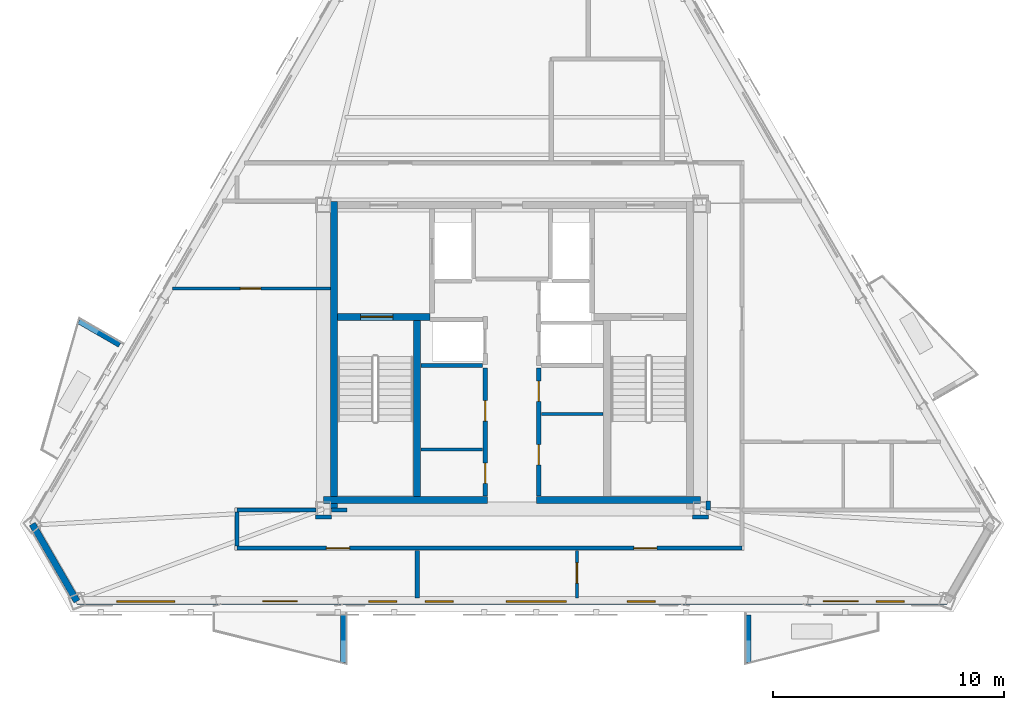
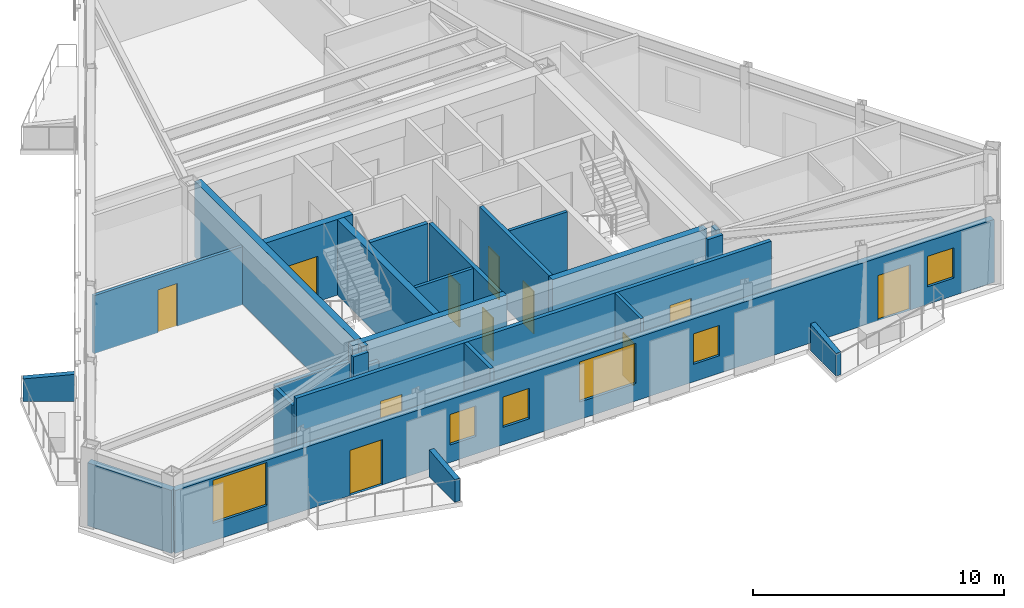
# One storey, part 2 of 9: 25 walls, 11 doors, 6 windows, 17 openings.
"""IFC4 building model written with IfcOpenShell, lengths in metres."""

from ifc_helpers import new_model, si_unit, direction, frame, frame_2d, origin, place, context, subcontext, project, spatial, polyline, rectangle, outline, extrude, material, layer, layer_set, type_object, element, fill, save


model = new_model("IFC4")

# Units and contexts
model_context = context("Model", 3, precision=1e-05, world=origin(), true_north=direction((0.0, 1.0)))
body_context = subcontext(model_context, "Body", "Model", "MODEL_VIEW")
ifc_project = project(units=[si_unit("LENGTHUNIT", "METRE"), si_unit("AREAUNIT", "SQUARE_METRE"), si_unit("VOLUMEUNIT", "CUBIC_METRE"), si_unit("PLANEANGLEUNIT", "RADIAN"), si_unit("MASSUNIT", "GRAM", prefix="KILO")], contexts=[model_context])

# Site, building, storey
site_placement = place(None, origin())
site = spatial("IfcSite", under=ifc_project, at=site_placement, CompositionType="ELEMENT")
building_placement = place(site_placement, origin())
building = spatial("IfcBuilding", under=site, at=building_placement, Name="Oramaril Tower", CompositionType="ELEMENT")
storey_placement = place(building_placement, frame((0.0, 0.0, 301.199951171875)))
storey = spatial("IfcBuildingStorey", under=building, at=storey_placement, Name="L79", CompositionType="ELEMENT", Elevation=301.199951171875)

# Wall
ifc_material_1 = material(Name="Warm Cream Limestone", Category="masonry")
ifc_layer_1 = layer(ifc_material_1, 0.2900390625)
ifc_layer_set_1 = layer_set([ifc_layer_1], Name="WT-EXT29")
wall_type_1 = type_object("IfcWallType", Name="WT-EXT29", PredefinedType="SOLIDWALL", material=ifc_layer_set_1)
wall_1_placement = place(storey_placement, frame((16.73876953125, 10.344970703125, 0.0), z_axis=(0.0, 0.0, 1.0), x_axis=(0.499977629202, -0.866038319186, 0.0)))
element("IfcWall", 1, at=wall_1_placement, inside=storey, type_object=wall_type_1, Name="L79 Tower Limestone Facade Wall 1M", PredefinedType="SOLIDWALL", context=body_context, shape_type="SweptSolid", body=[
    extrude(rectangle(XDim=3.864990234375, YDim=0.2900390625, at=frame_2d((1.9326171875, 0.0))), origin(), (0.0, 0.0, 1.0), 3.05810546875),
])

# Wall, openings, doors, windows
wall_2_placement = place(storey_placement, frame((18.671142578125, 6.997802734375, 0.0), z_axis=(0.0, 0.0, 1.0), x_axis=(1.0, 0.0, 0.0)))
wall_2 = element("IfcWall", 2, at=wall_2_placement, inside=storey, type_object=wall_type_1, Name="L79 Tower Limestone Facade Wall 2M", PredefinedType="SOLIDWALL", context=body_context, shape_type="SweptSolid", body=[
    extrude(rectangle(XDim=37.65771484375, YDim=0.2900390625, at=frame_2d((18.828857421875, 0.0))), origin(), (0.0, 0.0, 1.0), 3.05810546875),
])
opening_1_placement = place(wall_2_placement, frame((8.034423828125, 0.0, 0.0)))
opening_1 = element("IfcOpeningElement", 3, at=opening_1_placement, cuts=wall_2, Name="Opening D-L79-BAL-S1", PredefinedType="OPENING", context=body_context, shape_type="SweptSolid", body=[
    extrude(rectangle(XDim=1.5, YDim=2.199951171875, at=frame_2d((0.75, 1.10009765625))), frame((0.0, 0.14501953125, 0.0), z_axis=(0.0, -1.0, 0.0), x_axis=(1.0, 0.0, 0.0)), (0.0, 0.0, 1.0), 0.2900390625),
])
opening_2_placement = place(wall_2_placement, frame((32.30810546875, 0.0, 0.0)))
opening_2 = element("IfcOpeningElement", 4, at=opening_2_placement, cuts=wall_2, Name="Opening D-L79-BAL-S2", PredefinedType="OPENING", context=body_context, shape_type="SweptSolid", body=[
    extrude(rectangle(XDim=1.5, YDim=2.199951171875, at=frame_2d((0.75, 1.10009765625))), frame((0.0, 0.14501953125, 0.0), z_axis=(0.0, -1.0, 0.0), x_axis=(1.0, 0.0, 0.0)), (0.0, 0.0, 1.0), 0.2900390625),
])
opening_3_placement = place(wall_2_placement, frame((23.81884765625, 0.0, 0.85009765625)))
opening_3 = element("IfcOpeningElement", 5, at=opening_3_placement, cuts=wall_2, Name="Opening WN-09", PredefinedType="OPENING", context=body_context, shape_type="SweptSolid", body=[
    extrude(rectangle(XDim=1.199951171875, YDim=1.47998046875, at=frame_2d((0.60009765625, 0.739990234375))), frame((0.0, 0.14501953125, 0.0), z_axis=(0.0, -1.0, 0.0), x_axis=(1.0, 0.0, 0.0)), (0.0, 0.0, 1.0), 0.2900390625),
])
opening_4_placement = place(wall_2_placement, frame((34.595703125, 0.0, 0.85009765625)))
opening_4 = element("IfcOpeningElement", 6, at=opening_4_placement, cuts=wall_2, Name="Opening WN-09", PredefinedType="OPENING", context=body_context, shape_type="SweptSolid", body=[
    extrude(rectangle(XDim=1.199951171875, YDim=1.47998046875, at=frame_2d((0.60009765625, 0.739990234375))), frame((0.0, 0.14501953125, 0.0), z_axis=(0.0, -1.0, 0.0), x_axis=(1.0, 0.0, 0.0)), (0.0, 0.0, 1.0), 0.2900390625),
])
opening_5_placement = place(wall_2_placement, frame((15.080810546875, 0.0, 0.85009765625)))
opening_5 = element("IfcOpeningElement", 7, at=opening_5_placement, cuts=wall_2, Name="Opening WN-09", PredefinedType="OPENING", context=body_context, shape_type="SweptSolid", body=[
    extrude(rectangle(XDim=1.199951171875, YDim=1.47998046875, at=frame_2d((0.60009765625, 0.739990234375))), frame((0.0, 0.14501953125, 0.0), z_axis=(0.0, -1.0, 0.0), x_axis=(1.0, 0.0, 0.0)), (0.0, 0.0, 1.0), 0.2900390625),
])
opening_6_placement = place(wall_2_placement, frame((18.5859375, 0.0, 0.85009765625)))
opening_6 = element("IfcOpeningElement", 8, at=opening_6_placement, cuts=wall_2, Name="Opening WN-02", PredefinedType="OPENING", context=body_context, shape_type="SweptSolid", body=[
    extrude(rectangle(XDim=2.60009765625, YDim=1.949951171875, at=frame_2d((1.300048828125, 0.97509765625))), frame((0.0, 0.14501953125, 0.0), z_axis=(0.0, -1.0, 0.0), x_axis=(1.0, 0.0, 0.0)), (0.0, 0.0, 1.0), 0.2900390625),
])
opening_7_placement = place(wall_2_placement, frame((1.72900390625, 0.0, 0.85009765625)))
opening_7 = element("IfcOpeningElement", 9, at=opening_7_placement, cuts=wall_2, Name="Opening WN-11", PredefinedType="OPENING", context=body_context, shape_type="SweptSolid", body=[
    extrude(rectangle(XDim=2.5, YDim=2.097900390625, at=frame_2d((1.25, 1.048828125))), frame((0.0, 0.14501953125, 0.0), z_axis=(0.0, -1.0, 0.0), x_axis=(1.0, 0.0, 0.0)), (0.0, 0.0, 1.0), 0.2900390625),
])
opening_8_placement = place(wall_2_placement, frame((12.635498046875, 0.0, 0.85009765625)))
opening_8 = element("IfcOpeningElement", 10, at=opening_8_placement, cuts=wall_2, Name="Opening WN-09", PredefinedType="OPENING", context=body_context, shape_type="SweptSolid", body=[
    extrude(rectangle(XDim=1.199951171875, YDim=1.47998046875, at=frame_2d((0.60009765625, 0.739990234375))), frame((0.0, 0.14501953125, 0.0), z_axis=(0.0, -1.0, 0.0), x_axis=(1.0, 0.0, 0.0)), (0.0, 0.0, 1.0), 0.2900390625),
])
ifc_material_2 = material(Name="Anodised Aluminium 6063-T6", Category="aluminium")
door_type_1 = type_object("IfcDoorType", Name="DT-BAL", OperationType="NOTDEFINED", PredefinedType="DOOR", material=ifc_material_2)
door_1_placement = place(opening_1_placement, origin())
door_1 = element("IfcDoor", 11, at=door_1_placement, inside=storey, type_object=door_type_1, Name="L79 Balcony Glazed Door L79-BAL-S1", OperationType="SINGLE_SWING_RIGHT", OverallHeight=2.199951171875, OverallWidth=1.5, PredefinedType="DOOR", context=body_context, shape_type="SweptSolid", body=[
    extrude(rectangle(XDim=1.5, YDim=2.199951171875, at=frame_2d((0.75, 1.10009765625))), frame((0.0, 0.02490234375, 0.0), z_axis=(0.0, -1.0, 0.0), x_axis=(1.0, 0.0, 0.0)), (0.0, 0.0, 1.0), 0.050048828125),
])
fill(opening_1, door_1)
door_2_placement = place(opening_2_placement, origin())
door_2 = element("IfcDoor", 12, at=door_2_placement, inside=storey, type_object=door_type_1, Name="L79 Balcony Glazed Door L79-BAL-S2", OperationType="SINGLE_SWING_LEFT", OverallHeight=2.199951171875, OverallWidth=1.5, PredefinedType="DOOR", context=body_context, shape_type="SweptSolid", body=[
    extrude(rectangle(XDim=1.5, YDim=2.199951171875, at=frame_2d((0.75, 1.10009765625))), frame((0.0, 0.02490234375, 0.0), z_axis=(0.0, -1.0, 0.0), x_axis=(1.0, 0.0, 0.0)), (0.0, 0.0, 1.0), 0.050048828125),
])
fill(opening_2, door_2)
ifc_material_3 = material(Name="Coastal Low-E Insulated Glass", Category="glass")
window_type_1 = type_object("IfcWindowType", Name="WNT-02", PartitioningType="SINGLE_PANEL", PredefinedType="WINDOW", material=ifc_material_3)
window_1_placement = place(opening_6_placement, origin())
window_1 = element("IfcWindow", 13, at=window_1_placement, inside=storey, type_object=window_type_1, Name="L79 Chicago Bay Window WN-02", OverallHeight=1.949951171875, OverallWidth=2.60009765625, PartitioningType="SINGLE_PANEL", PredefinedType="WINDOW", context=body_context, shape_type="SweptSolid", body=[
    extrude(rectangle(XDim=2.60009765625, YDim=1.949951171875, at=frame_2d((1.300048828125, 0.97509765625))), frame((0.0, 0.030029296875, 0.0), z_axis=(0.0, -1.0, 0.0), x_axis=(1.0, 0.0, 0.0)), (0.0, 0.0, 1.0), 0.06005859375),
])
fill(opening_6, window_1)
ifc_material_4 = material(Name="Coastal Low-E Insulated Glass", Category="glass")
window_type_2 = type_object("IfcWindowType", Name="WNT-09", PartitioningType="SINGLE_PANEL", PredefinedType="WINDOW", material=ifc_material_4)
window_2_placement = place(opening_3_placement, origin())
window_2 = element("IfcWindow", 14, at=window_2_placement, inside=storey, type_object=window_type_2, Name="L79 Chicago Bay Window WN-09", OverallHeight=1.47998046875, OverallWidth=1.199951171875, PartitioningType="SINGLE_PANEL", PredefinedType="WINDOW", context=body_context, shape_type="SweptSolid", body=[
    extrude(rectangle(XDim=1.199951171875, YDim=1.47998046875, at=frame_2d((0.60009765625, 0.739990234375))), frame((0.0, 0.030029296875, 0.0), z_axis=(0.0, -1.0, 0.0), x_axis=(1.0, 0.0, 0.0)), (0.0, 0.0, 1.0), 0.06005859375),
])
fill(opening_3, window_2)
window_3_placement = place(opening_4_placement, origin())
window_3 = element("IfcWindow", 15, at=window_3_placement, inside=storey, type_object=window_type_2, Name="L79 Chicago Bay Window WN-09", OverallHeight=1.47998046875, OverallWidth=1.199951171875, PartitioningType="SINGLE_PANEL", PredefinedType="WINDOW", context=body_context, shape_type="SweptSolid", body=[
    extrude(rectangle(XDim=1.199951171875, YDim=1.47998046875, at=frame_2d((0.60009765625, 0.739990234375))), frame((0.0, 0.030029296875, 0.0), z_axis=(0.0, -1.0, 0.0), x_axis=(1.0, 0.0, 0.0)), (0.0, 0.0, 1.0), 0.06005859375),
])
fill(opening_4, window_3)
window_4_placement = place(opening_5_placement, origin())
window_4 = element("IfcWindow", 16, at=window_4_placement, inside=storey, type_object=window_type_2, Name="L79 Chicago Bay Window WN-09", OverallHeight=1.47998046875, OverallWidth=1.199951171875, PartitioningType="SINGLE_PANEL", PredefinedType="WINDOW", context=body_context, shape_type="SweptSolid", body=[
    extrude(rectangle(XDim=1.199951171875, YDim=1.47998046875, at=frame_2d((0.60009765625, 0.739990234375))), frame((0.0, 0.030029296875, 0.0), z_axis=(0.0, -1.0, 0.0), x_axis=(1.0, 0.0, 0.0)), (0.0, 0.0, 1.0), 0.06005859375),
])
fill(opening_5, window_4)
window_5_placement = place(opening_8_placement, origin())
window_5 = element("IfcWindow", 17, at=window_5_placement, inside=storey, type_object=window_type_2, Name="L79 Chicago Bay Window WN-09", OverallHeight=1.47998046875, OverallWidth=1.199951171875, PartitioningType="SINGLE_PANEL", PredefinedType="WINDOW", context=body_context, shape_type="SweptSolid", body=[
    extrude(rectangle(XDim=1.199951171875, YDim=1.47998046875, at=frame_2d((0.60009765625, 0.739990234375))), frame((0.0, 0.030029296875, 0.0), z_axis=(0.0, -1.0, 0.0), x_axis=(1.0, 0.0, 0.0)), (0.0, 0.0, 1.0), 0.06005859375),
])
fill(opening_8, window_5)
ifc_material_5 = material(Name="Coastal Low-E Insulated Glass", Category="glass")
window_type_3 = type_object("IfcWindowType", Name="WNT-11", PartitioningType="SINGLE_PANEL", PredefinedType="WINDOW", material=ifc_material_5)
window_6_placement = place(opening_7_placement, origin())
window_6 = element("IfcWindow", 18, at=window_6_placement, inside=storey, type_object=window_type_3, Name="L79 Chicago Bay Window WN-11", OverallHeight=2.097900390625, OverallWidth=2.5, PartitioningType="SINGLE_PANEL", PredefinedType="WINDOW", context=body_context, shape_type="SweptSolid", body=[
    extrude(rectangle(XDim=2.5, YDim=2.097900390625, at=frame_2d((1.25, 1.048828125))), frame((0.0, 0.030029296875, 0.0), z_axis=(0.0, -1.0, 0.0), x_axis=(1.0, 0.0, 0.0)), (0.0, 0.0, 1.0), 0.06005859375),
])
fill(opening_7, window_6)

# Walls
ifc_material_6 = material(Name="Concrete C40/50", Category="concrete")
ifc_layer_2 = layer(ifc_material_6, 0.22998046875)
ifc_layer_set_2 = layer_set([ifc_layer_2], Name="WT-PRP23")
wall_type_2 = type_object("IfcWallType", Name="WT-PRP23", PredefinedType="PARAPET", material=ifc_layer_set_2)
for number, where, z_axis, x_axis, name in (
    (19, (30.20068359375, 6.399658203125, 0.0), (0.0, 0.0, 1.0), (0.0, -1.0, 0.0), "L79 Trapezoidal Balcony Frame Cheek L79-BAL-S1-R"),
    (20, (47.724365234375, 6.399658203125, 0.0), (0.0, 0.0, 1.0), (0.0, -1.0, 0.0), "L79 Trapezoidal Balcony Frame Cheek L79-BAL-S2-L"),
    (21, (20.52294921875, 18.095458984375, 0.0), (0.0, 0.0, 1.0), (-0.866012356593, 0.500022597718, 0.0), "L79 Trapezoidal Balcony Frame Cheek L79-BAL-NW2-L"),
):
    element("IfcWall", number, at=place(storey_placement, frame(where, z_axis=z_axis, x_axis=x_axis)), inside=storey, type_object=wall_type_2, Name=name, PredefinedType="PARAPET", context=body_context, shape_type="SweptSolid", body=[
        extrude(outline(polyline([(0.0, 0.0), (2.0419921875, 0.0), (2.0419921875, 1.10009765625), (0.0, 1.320068359375), (0.0, 0.0)])), frame((0.0, 0.114990234375, 0.0), z_axis=(0.0, -1.0, 0.0), x_axis=(1.0, 0.0, 0.0)), (0.0, 0.0, 1.0), 0.22998046875),
    ])
ifc_material_7 = material(Name="Acoustic Gypsum Board Partition")
ifc_layer_3 = layer(ifc_material_7, 0.139892578125)
ifc_layer_set_3 = layer_set([ifc_layer_3], Name="WT-PT14")
wall_type_3 = type_object("IfcWallType", Name="WT-PT14", PredefinedType="PARTITIONING", material=ifc_layer_set_3)
for number, where, z_axis, x_axis, name in (
    (22, (33.56005859375, 13.570068359375, 0.0), (0.0, 0.0, 1.0), (1.0, 0.0, 0.0), "L79 Freed Shaft Divider"),
    (23, (38.780029296875, 15.110107421875, 0.0), (0.0, 0.0, 1.0), (1.0, 0.0, 0.0), "L79 Freed Shaft Divider"),
):
    element("IfcWall", number, at=place(storey_placement, frame(where, z_axis=z_axis, x_axis=x_axis)), inside=storey, type_object=wall_type_3, Name=name, PredefinedType="PARTITIONING", context=body_context, shape_type="SweptSolid", body=[
        extrude(rectangle(XDim=2.659912109375, YDim=0.139892578125, at=frame_2d((1.330078125, 0.0))), origin(), (0.0, 0.0, 1.0), 3.679931640625),
    ])

# Wall, opening, door
wall_3_placement = place(storey_placement, frame((22.796875, 20.5400390625, 0.0), z_axis=(0.0, 0.0, 1.0), x_axis=(1.0, 0.0, 0.0)))
wall_3 = element("IfcWall", 24, at=wall_3_placement, inside=storey, type_object=wall_type_3, Name="L79 Interior Partition PT-14", PredefinedType="PARTITIONING", context=body_context, shape_type="SweptSolid", body=[
    extrude(rectangle(XDim=6.839111328125, YDim=0.139892578125, at=frame_2d((3.41943359375, 0.0))), origin(), (0.0, 0.0, 1.0), 2.820068359375),
])
opening_9_placement = place(wall_3_placement, frame((2.951904296875, 0.0, 0.0)))
opening_9 = element("IfcOpeningElement", 25, at=opening_9_placement, cuts=wall_3, Name="Opening D-L79-06", PredefinedType="OPENING", context=body_context, shape_type="SweptSolid", body=[
    extrude(rectangle(XDim=0.8798828125, YDim=2.080078125, at=frame_2d((0.43994140625, 1.0400390625))), frame((0.0, 0.06982421875, 0.0), z_axis=(0.0, -1.0, 0.0), x_axis=(1.0, 0.0, 0.0)), (0.0, 0.0, 1.0), 0.139892578125),
])
ifc_material_8 = material(Name="FSC Brazilian Freijo Hardwood", Category="wood")
door_type_2 = type_object("IfcDoorType", Name="DT-BATH", OperationType="NOTDEFINED", PredefinedType="DOOR", material=ifc_material_8)
door_3_placement = place(opening_9_placement, origin())
door_3 = element("IfcDoor", 26, at=door_3_placement, inside=storey, type_object=door_type_2, Name="L79 Flat L79-U2 Bathroom Door D-L79-06", OperationType="SINGLE_SWING_RIGHT", OverallHeight=2.080078125, OverallWidth=0.8798828125, PredefinedType="DOOR", context=body_context, shape_type="SweptSolid", body=[
    extrude(rectangle(XDim=0.8798828125, YDim=2.080078125, at=frame_2d((0.43994140625, 1.0400390625))), frame((0.0, 0.02490234375, 0.0), z_axis=(0.0, -1.0, 0.0), x_axis=(1.0, 0.0, 0.0)), (0.0, 0.0, 1.0), 0.050048828125),
])
fill(opening_9, door_3)

wall_4_placement = place(storey_placement, frame((40.31005859375, 7.146728515625, 0.0), z_axis=(0.0, 0.0, 1.0), x_axis=(0.0, 1.0, 0.0)))
wall_4 = element("IfcWall", 27, at=wall_4_placement, inside=storey, type_object=wall_type_3, Name="L79 Interior Partition PT-14", PredefinedType="PARTITIONING", context=body_context, shape_type="SweptSolid", body=[
    extrude(rectangle(XDim=2.059326171875, YDim=0.139892578125, at=frame_2d((1.02978515625, 0.0))), origin(), (0.0, 0.0, 1.0), 3.679931640625),
])
opening_10_placement = place(wall_4_placement, frame((0.63720703125, 0.0, 0.0)))
opening_10 = element("IfcOpeningElement", 28, at=opening_10_placement, cuts=wall_4, Name="Opening D-L79-12", PredefinedType="OPENING", context=body_context, shape_type="SweptSolid", body=[
    extrude(rectangle(XDim=0.8798828125, YDim=2.080078125, at=frame_2d((0.43994140625, 1.0400390625))), frame((0.0, 0.06982421875, 0.0), z_axis=(0.0, -1.0, 0.0), x_axis=(1.0, 0.0, 0.0)), (0.0, 0.0, 1.0), 0.139892578125),
])
door_4_placement = place(opening_10_placement, origin())
door_4 = element("IfcDoor", 29, at=door_4_placement, inside=storey, type_object=door_type_2, Name="L79 Flat L79-U1 Bathroom Door D-L79-12", OperationType="SINGLE_SWING_RIGHT", OverallHeight=2.080078125, OverallWidth=0.8798828125, PredefinedType="DOOR", context=body_context, shape_type="SweptSolid", body=[
    extrude(rectangle(XDim=0.8798828125, YDim=2.080078125, at=frame_2d((0.43994140625, 1.0400390625))), frame((0.0, 0.02490234375, 0.0), z_axis=(0.0, -1.0, 0.0), x_axis=(1.0, 0.0, 0.0)), (0.0, 0.0, 1.0), 0.050048828125),
])
fill(opening_10, door_4)

# Wall
ifc_material_9 = material(Name="Autoclaved Cellular Concrete Block", Category="concrete")
ifc_layer_4 = layer(ifc_material_9, 0.179931640625)
ifc_layer_set_4 = layer_set([ifc_layer_4], Name="WT-PT18")
wall_type_4 = type_object("IfcWallType", Name="WT-PT18", PredefinedType="PARTITIONING", material=ifc_layer_set_4)
wall_5_placement = place(storey_placement, frame((33.56005859375, 17.199951171875, 0.0), z_axis=(0.0, 0.0, 1.0), x_axis=(1.0, 0.0, 0.0)))
element("IfcWall", 30, at=wall_5_placement, inside=storey, type_object=wall_type_4, Name="L79 High-Rise Lift H1 South Wall", PredefinedType="PARTITIONING", context=body_context, shape_type="SweptSolid", body=[
    extrude(rectangle(XDim=2.659912109375, YDim=0.179931640625, at=frame_2d((1.330078125, 0.0))), origin(), (0.0, 0.0, 1.0), 3.679931640625),
])

# Wall, openings, doors
wall_6_placement = place(storey_placement, frame((36.340087890625, 11.550048828125, 0.0), z_axis=(0.0, 0.0, 1.0), x_axis=(0.0, 1.0, 0.0)))
wall_6 = element("IfcWall", 31, at=wall_6_placement, inside=storey, type_object=wall_type_4, Name="L79 Freed Shaft Study East Wall", PredefinedType="PARTITIONING", context=body_context, shape_type="SweptSolid", body=[
    extrude(rectangle(XDim=5.550048828125, YDim=0.179931640625, at=frame_2d((2.77490234375, 0.0))), origin(), (0.0, 0.0, 1.0), 3.679931640625),
])
opening_11_placement = place(wall_6_placement, frame((0.550048828125, 0.0, 0.0)))
opening_11 = element("IfcOpeningElement", 32, at=opening_11_placement, cuts=wall_6, Name="Opening D-L79-FL1", PredefinedType="OPENING", context=body_context, shape_type="SweptSolid", body=[
    extrude(rectangle(XDim=0.8798828125, YDim=2.080078125, at=frame_2d((0.43994140625, 1.0400390625))), frame((0.0, 0.08984375, 0.0), z_axis=(0.0, -1.0, 0.0), x_axis=(1.0, 0.0, 0.0)), (0.0, 0.0, 1.0), 0.179931640625),
])
opening_12_placement = place(wall_6_placement, frame((3.25, 0.0, 0.0)))
opening_12 = element("IfcOpeningElement", 33, at=opening_12_placement, cuts=wall_6, Name="Opening D-L79-FL2", PredefinedType="OPENING", context=body_context, shape_type="SweptSolid", body=[
    extrude(rectangle(XDim=0.8798828125, YDim=2.080078125, at=frame_2d((0.43994140625, 1.0400390625))), frame((0.0, 0.08984375, 0.0), z_axis=(0.0, -1.0, 0.0), x_axis=(1.0, 0.0, 0.0)), (0.0, 0.0, 1.0), 0.179931640625),
])
door_5_placement = place(opening_11_placement, origin())
door_5 = element("IfcDoor", 34, at=door_5_placement, inside=storey, type_object=door_type_2, Name="L79 L79 Residents Tasting Dining Nook Door", OperationType="SINGLE_SWING_LEFT", OverallHeight=2.080078125, OverallWidth=0.8798828125, PredefinedType="DOOR", context=body_context, shape_type="SweptSolid", body=[
    extrude(rectangle(XDim=0.8798828125, YDim=2.080078125, at=frame_2d((0.43994140625, 1.0400390625))), frame((0.0, 0.02490234375, 0.0), z_axis=(0.0, -1.0, 0.0), x_axis=(1.0, 0.0, 0.0)), (0.0, 0.0, 1.0), 0.050048828125),
])
fill(opening_11, door_5)
door_6_placement = place(opening_12_placement, origin())
door_6 = element("IfcDoor", 35, at=door_6_placement, inside=storey, type_object=door_type_2, Name="L79 L79 Floor Co-Work Office Door", OperationType="SINGLE_SWING_RIGHT", OverallHeight=2.080078125, OverallWidth=0.8798828125, PredefinedType="DOOR", context=body_context, shape_type="SweptSolid", body=[
    extrude(rectangle(XDim=0.8798828125, YDim=2.080078125, at=frame_2d((0.43994140625, 1.0400390625))), frame((0.0, 0.02490234375, 0.0), z_axis=(0.0, -1.0, 0.0), x_axis=(1.0, 0.0, 0.0)), (0.0, 0.0, 1.0), 0.050048828125),
])
fill(opening_12, door_6)

wall_7_placement = place(storey_placement, frame((38.659912109375, 11.550048828125, 0.0), z_axis=(0.0, 0.0, 1.0), x_axis=(0.0, 1.0, 0.0)))
wall_7 = element("IfcWall", 36, at=wall_7_placement, inside=storey, type_object=wall_type_4, Name="L79 Freed Shaft Alcove West Wall", PredefinedType="PARTITIONING", context=body_context, shape_type="SweptSolid", body=[
    extrude(rectangle(XDim=5.550048828125, YDim=0.179931640625, at=frame_2d((2.77490234375, 0.0))), origin(), (0.0, 0.0, 1.0), 3.679931640625),
])
opening_13_placement = place(wall_7_placement, frame((1.35009765625, 0.0, 0.0)))
opening_13 = element("IfcOpeningElement", 37, at=opening_13_placement, cuts=wall_7, Name="Opening D-L79-FM1", PredefinedType="OPENING", context=body_context, shape_type="SweptSolid", body=[
    extrude(rectangle(XDim=0.8798828125, YDim=2.080078125, at=frame_2d((0.43994140625, 1.0400390625))), frame((0.0, 0.08984375, 0.0), z_axis=(0.0, -1.0, 0.0), x_axis=(1.0, 0.0, 0.0)), (0.0, 0.0, 1.0), 0.179931640625),
])
opening_14_placement = place(wall_7_placement, frame((4.10009765625, 0.0, 0.0)))
opening_14 = element("IfcOpeningElement", 38, at=opening_14_placement, cuts=wall_7, Name="Opening D-L79-FM2", PredefinedType="OPENING", context=body_context, shape_type="SweptSolid", body=[
    extrude(rectangle(XDim=0.8798828125, YDim=2.080078125, at=frame_2d((0.43994140625, 1.0400390625))), frame((0.0, 0.08984375, 0.0), z_axis=(0.0, -1.0, 0.0), x_axis=(1.0, 0.0, 0.0)), (0.0, 0.0, 1.0), 0.179931640625),
])
door_7_placement = place(opening_13_placement, origin())
door_7 = element("IfcDoor", 39, at=door_7_placement, inside=storey, type_object=door_type_2, Name="L79 L79 Private Home Office Door", OperationType="SINGLE_SWING_RIGHT", OverallHeight=2.080078125, OverallWidth=0.8798828125, PredefinedType="DOOR", context=body_context, shape_type="SweptSolid", body=[
    extrude(rectangle(XDim=0.8798828125, YDim=2.080078125, at=frame_2d((0.43994140625, 1.0400390625))), frame((0.0, 0.02490234375, 0.0), z_axis=(0.0, -1.0, 0.0), x_axis=(1.0, 0.0, 0.0)), (0.0, 0.0, 1.0), 0.050048828125),
])
fill(opening_13, door_7)
door_8_placement = place(opening_14_placement, origin())
door_8 = element("IfcDoor", 40, at=door_8_placement, inside=storey, type_object=door_type_2, Name="L79 L79 Sky Tea Dining Alcove Door", OperationType="SINGLE_SWING_LEFT", OverallHeight=2.080078125, OverallWidth=0.8798828125, PredefinedType="DOOR", context=body_context, shape_type="SweptSolid", body=[
    extrude(rectangle(XDim=0.8798828125, YDim=2.080078125, at=frame_2d((0.43994140625, 1.0400390625))), frame((0.0, 0.02490234375, 0.0), z_axis=(0.0, -1.0, 0.0), x_axis=(1.0, 0.0, 0.0)), (0.0, 0.0, 1.0), 0.050048828125),
])
fill(opening_14, door_8)

wall_8_placement = place(storey_placement, frame((25.60009765625, 9.300048828125, 0.0), z_axis=(0.0, 0.0, 1.0), x_axis=(1.0, 0.0, 0.0)))
wall_8 = element("IfcWall", 41, at=wall_8_placement, inside=storey, type_object=wall_type_4, Name="L79 Interior Partition PT-18", PredefinedType="PARTITIONING", context=body_context, shape_type="SweptSolid", body=[
    extrude(rectangle(XDim=21.849853515625, YDim=0.179931640625, at=frame_2d((10.9248046875, 0.0))), origin(), (0.0, 0.0, 1.0), 3.679931640625),
])
opening_15_placement = place(wall_8_placement, frame((3.868408203125, 0.0, 0.0)))
opening_15 = element("IfcOpeningElement", 42, at=opening_15_placement, cuts=wall_8, Name="Opening D-L79-01", PredefinedType="OPENING", context=body_context, shape_type="SweptSolid", body=[
    extrude(rectangle(XDim=1.0, YDim=2.179931640625, at=frame_2d((0.5, 1.08984375))), frame((0.0, 0.08984375, 0.0), z_axis=(0.0, -1.0, 0.0), x_axis=(1.0, 0.0, 0.0)), (0.0, 0.0, 1.0), 0.179931640625),
])
opening_16_placement = place(wall_8_placement, frame((17.17041015625, 0.0, 0.0)))
opening_16 = element("IfcOpeningElement", 43, at=opening_16_placement, cuts=wall_8, Name="Opening D-L79-02", PredefinedType="OPENING", context=body_context, shape_type="SweptSolid", body=[
    extrude(rectangle(XDim=1.0, YDim=2.179931640625, at=frame_2d((0.5, 1.08984375))), frame((0.0, 0.08984375, 0.0), z_axis=(0.0, -1.0, 0.0), x_axis=(1.0, 0.0, 0.0)), (0.0, 0.0, 1.0), 0.179931640625),
])
ifc_material_10 = material(Name="FSC Brazilian Freijo Hardwood", Category="wood")
door_type_3 = type_object("IfcDoorType", Name="DT-APT", OperationType="NOTDEFINED", PredefinedType="DOOR", material=ifc_material_10)
door_9_placement = place(opening_15_placement, origin())
door_9 = element("IfcDoor", 44, at=door_9_placement, inside=storey, type_object=door_type_3, Name="L79 Flat L79-U2 Kitchen and Studio Apartment Door D-L79-01", OperationType="SINGLE_SWING_LEFT", OverallHeight=2.179931640625, OverallWidth=1.0, PredefinedType="DOOR", context=body_context, shape_type="SweptSolid", body=[
    extrude(rectangle(XDim=1.0, YDim=2.179931640625, at=frame_2d((0.5, 1.08984375))), frame((0.0, 0.02490234375, 0.0), z_axis=(0.0, -1.0, 0.0), x_axis=(1.0, 0.0, 0.0)), (0.0, 0.0, 1.0), 0.050048828125),
])
fill(opening_15, door_9)
door_10_placement = place(opening_16_placement, origin())
door_10 = element("IfcDoor", 45, at=door_10_placement, inside=storey, type_object=door_type_3, Name="L79 Flat L79-U1 Kitchen and Studio Apartment Door D-L79-02", OperationType="SINGLE_SWING_RIGHT", OverallHeight=2.179931640625, OverallWidth=1.0, PredefinedType="DOOR", context=body_context, shape_type="SweptSolid", body=[
    extrude(rectangle(XDim=1.0, YDim=2.179931640625, at=frame_2d((0.5, 1.08984375))), frame((0.0, 0.02490234375, 0.0), z_axis=(0.0, -1.0, 0.0), x_axis=(1.0, 0.0, 0.0)), (0.0, 0.0, 1.0), 0.050048828125),
])
fill(opening_16, door_10)

# Walls
for number, where, z_axis, x_axis, name in (
    (46, (29.0048828125, 10.64990234375, 0.0), (0.0, 0.0, 1.0), (1.0, 0.0, 0.0), "L79 Interior Partition PT-18"),
    (47, (45.304931640625, 10.64990234375, 0.0), (0.0, 0.0, 1.0), (1.0, 0.0, 0.0), "L79 Interior Partition PT-18"),
):
    element("IfcWall", number, at=place(storey_placement, frame(where, z_axis=z_axis, x_axis=x_axis)), inside=storey, type_object=wall_type_4, Name=name, PredefinedType="PARTITIONING", context=body_context, shape_type="SweptSolid", body=[
        extrude(rectangle(XDim=0.690185546875, YDim=0.179931640625, at=frame_2d((0.34521484375, 0.0))), origin(), (0.0, 0.0, 1.0), 3.679931640625),
    ])
wall_9_placement = place(storey_placement, frame((25.60009765625, 10.949951171875, 0.0), z_axis=(0.0, 0.0, 1.0), x_axis=(1.0, 0.0, 0.0)))
element("IfcWall", 48, at=wall_9_placement, inside=storey, type_object=wall_type_4, Name="L79 Interior Partition PT-18", PredefinedType="PARTITIONING", context=body_context, shape_type="SweptSolid", body=[
    extrude(rectangle(XDim=3.409912109375, YDim=0.179931640625, at=frame_2d((1.705078125, 0.0))), origin(), (0.0, 0.0, 1.0), 3.26611328125),
])
wall_10_placement = place(storey_placement, frame((29.68994140625, 10.949951171875, 0.0), z_axis=(0.0, 0.0, 1.0), x_axis=(1.0, 0.0, 0.0)))
element("IfcWall", 49, at=wall_10_placement, inside=storey, type_object=wall_type_4, Name="L79 Interior Partition PT-18", PredefinedType="PARTITIONING", context=body_context, shape_type="SweptSolid", body=[
    extrude(rectangle(XDim=0.6650390625, YDim=0.179931640625, at=frame_2d((0.33251953125, 0.0))), origin(), (0.0, 0.0, 1.0), 2.820068359375),
])
wall_11_placement = place(storey_placement, frame((25.60009765625, 9.39404296875, 0.0), z_axis=(0.0, 0.0, 1.0), x_axis=(0.0, 1.0, 0.0)))
element("IfcWall", 50, at=wall_11_placement, inside=storey, type_object=wall_type_4, Name="L79 Interior Partition PT-18", PredefinedType="PARTITIONING", context=body_context, shape_type="SweptSolid", body=[
    extrude(rectangle(XDim=1.4619140625, YDim=0.179931640625, at=frame_2d((0.73095703125, 0.0))), origin(), (0.0, 0.0, 1.0), 3.26611328125),
])
wall_12_placement = place(storey_placement, frame((33.39990234375, 7.146728515625, 0.0), z_axis=(0.0, 0.0, 1.0), x_axis=(0.0, 1.0, 0.0)))
element("IfcWall", 51, at=wall_12_placement, inside=storey, type_object=wall_type_4, Name="L79 Interior Partition PT-18", PredefinedType="PARTITIONING", context=body_context, shape_type="SweptSolid", body=[
    extrude(rectangle(XDim=2.059326171875, YDim=0.179931640625, at=frame_2d((1.02978515625, 0.0))), origin(), (0.0, 0.0, 1.0), 3.679931640625),
])
wall_13_placement = place(storey_placement, frame((45.989990234375, 10.949951171875, 0.0), z_axis=(0.0, 0.0, 1.0), x_axis=(0.0, 1.0, 0.0)))
element("IfcWall", 52, at=wall_13_placement, inside=storey, type_object=wall_type_4, Name="L79 Interior Partition PT-18", PredefinedType="PARTITIONING", context=body_context, shape_type="SweptSolid", body=[
    extrude(rectangle(XDim=0.39013671875, YDim=0.179931640625, at=frame_2d((0.195068359375, 0.0))), origin(), (0.0, 0.0, 1.0), 3.679931640625),
])
ifc_material_11 = material(Name="Concrete C50/60", Category="concrete")
ifc_layer_5 = layer(ifc_material_11, 0.300048828125)
ifc_layer_set_5 = layer_set([ifc_layer_5], Name="WT-SH30")
wall_type_5 = type_object("IfcWallType", Name="WT-SH30", PredefinedType="SHEAR", material=ifc_layer_set_5)
wall_14_placement = place(storey_placement, frame((29.7900390625, 11.0, 0.0), z_axis=(0.0, 0.0, 1.0), x_axis=(0.0, 1.0, 0.0)))
element("IfcWall", 53, at=wall_14_placement, inside=storey, type_object=wall_type_5, Name="L79 Core Shear Wall CW-W", PredefinedType="SHEAR", context=body_context, shape_type="SweptSolid", body=[
    extrude(rectangle(XDim=13.300048828125, YDim=0.300048828125, at=frame_2d((6.64990234375, 0.0))), origin(), (0.0, 0.0, 1.0), 3.679931640625),
])
for number, where, z_axis, x_axis, name in (
    (54, (29.35009765625, 11.389892578125, 0.0), (0.0, 0.0, 1.0), (1.0, 0.0, 0.0), "L79 Core Shear Wall CW-SW"),
    (55, (38.550048828125, 11.389892578125, 0.0), (0.0, 0.0, 1.0), (1.0, 0.0, 0.0), "L79 Core Shear Wall CW-SE"),
):
    element("IfcWall", number, at=place(storey_placement, frame(where, z_axis=z_axis, x_axis=x_axis)), inside=storey, type_object=wall_type_5, Name=name, PredefinedType="SHEAR", context=body_context, shape_type="SweptSolid", body=[
        extrude(rectangle(XDim=7.099853515625, YDim=0.300048828125, at=frame_2d((3.5498046875, 0.0))), origin(), (0.0, 0.0, 1.0), 3.679931640625),
    ])

# Wall, opening, door
wall_15_placement = place(storey_placement, frame((29.93994140625, 19.31005859375, 0.0), z_axis=(0.0, 0.0, 1.0), x_axis=(1.0, 0.0, 0.0)))
wall_15 = element("IfcWall", 56, at=wall_15_placement, inside=storey, type_object=wall_type_5, Name="L79 Core Shear Wall CW-ST1N", PredefinedType="SHEAR", context=body_context, shape_type="SweptSolid", body=[
    extrude(rectangle(XDim=4.010009765625, YDim=0.300048828125, at=frame_2d((2.0048828125, 0.0))), origin(), (0.0, 0.0, 1.0), 3.679931640625),
])
opening_17_placement = place(wall_15_placement, frame((1.010009765625, 0.0, 0.0)))
opening_17 = element("IfcOpeningElement", 57, at=opening_17_placement, cuts=wall_15, Name="Opening D-L79-ST1", PredefinedType="OPENING", context=body_context, shape_type="SweptSolid", body=[
    extrude(rectangle(XDim=1.39990234375, YDim=2.199951171875, at=frame_2d((0.699951171875, 1.10009765625))), frame((0.0, 0.14990234375, 0.0), z_axis=(0.0, -1.0, 0.0), x_axis=(1.0, 0.0, 0.0)), (0.0, 0.0, 1.0), 0.300048828125),
])
ifc_material_12 = material(Name="Painted Galvanised Steel", Category="steel")
door_type_4 = type_object("IfcDoorType", Name="DT-ST", OperationType="NOTDEFINED", PredefinedType="DOOR", material=ifc_material_12)
door_11_placement = place(opening_17_placement, origin())
door_11 = element("IfcDoor", 58, at=door_11_placement, inside=storey, type_object=door_type_4, Name="L79 Protected Stair ST-1 Fire Door", OperationType="SINGLE_SWING_LEFT", OverallHeight=2.199951171875, OverallWidth=1.39990234375, PredefinedType="DOOR", context=body_context, shape_type="SweptSolid", body=[
    extrude(rectangle(XDim=1.39990234375, YDim=2.199951171875, at=frame_2d((0.699951171875, 1.10009765625))), frame((0.0, 0.02490234375, 0.0), z_axis=(0.0, -1.0, 0.0), x_axis=(1.0, 0.0, 0.0)), (0.0, 0.0, 1.0), 0.050048828125),
])
fill(opening_17, door_11)

# Wall
wall_16_placement = place(storey_placement, frame((33.3798828125, 11.5400390625, 0.0), z_axis=(0.0, 0.0, 1.0), x_axis=(0.0, 1.0, 0.0)))
element("IfcWall", 59, at=wall_16_placement, inside=storey, type_object=wall_type_5, Name="L79 Core Shear Wall CW-ST1E", PredefinedType="SHEAR", context=body_context, shape_type="SweptSolid", body=[
    extrude(rectangle(XDim=7.619873046875, YDim=0.300048828125, at=frame_2d((3.81005859375, 0.0))), origin(), (0.0, 0.0, 1.0), 3.679931640625),
])

save(model, "model.ifc")
